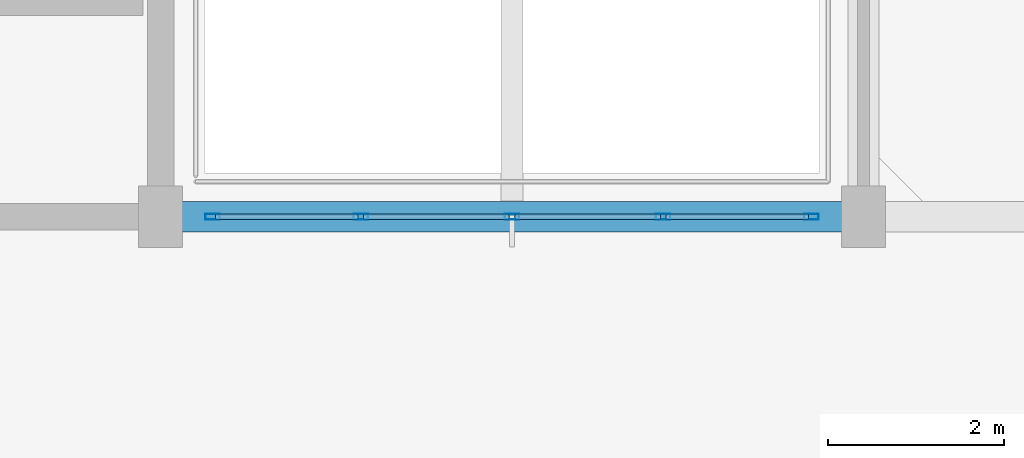
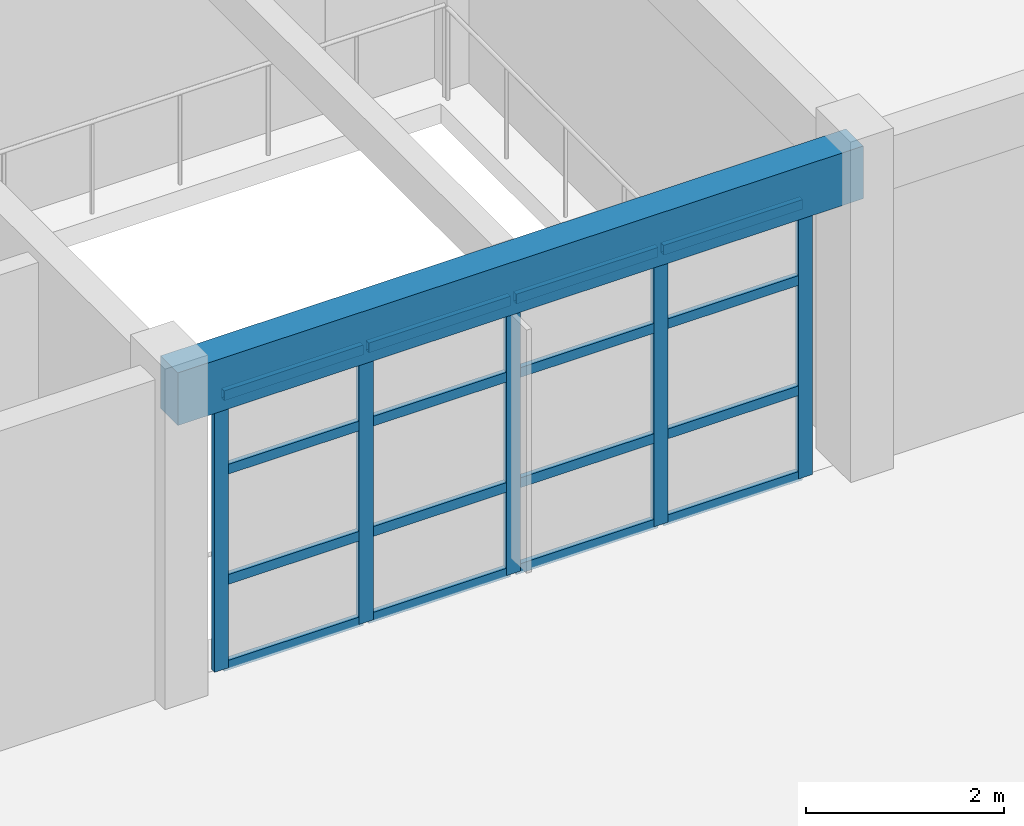
# One storey, part 5 of 20: 21 members, 1 beam, 1 element without a shape of its own.
"""IFC4 building model written with IfcOpenShell, lengths in metres."""

from ifc_helpers import new_model, si_unit, direction, frame, origin, origin_2d, place, context, subcontext, project, spatial, rectangle, hollow_rectangle, extrude, material, layer, layer_set, material_profile, profile_set, type_object, element, aggregate, save


model = new_model("IFC4")

# Units and contexts
model_context = context("Model", 3, precision=1e-05, world=origin(), true_north=direction((0.0, 1.0)))
body_context = subcontext(model_context, "Body", "Model", "MODEL_VIEW")
ifc_project = project(units=[si_unit("LENGTHUNIT", "METRE"), si_unit("AREAUNIT", "SQUARE_METRE"), si_unit("VOLUMEUNIT", "CUBIC_METRE"), si_unit("PLANEANGLEUNIT", "RADIAN"), si_unit("MASSUNIT", "GRAM", prefix="KILO")], contexts=[model_context])

# Site, building, storey
site_placement = place(None, origin())
site = spatial("IfcSite", under=ifc_project, at=site_placement, CompositionType="ELEMENT")
building_placement = place(site_placement, origin())
building = spatial("IfcBuilding", under=site, at=building_placement, Name="Canggui Botanical Conservatory", CompositionType="ELEMENT")
storey_placement = place(building_placement, frame((0.0, 0.0, 57.0)))
storey = spatial("IfcBuildingStorey", under=building, at=storey_placement, Name="L14", CompositionType="ELEMENT", Elevation=57.0)

# Beam
ifc_material_1 = material(Name="Concrete C35", Category="concrete")
ifc_material_profile_1 = material_profile(ifc_material_1, rectangle(XDim=0.35009765625, YDim=0.64990234375, at=origin_2d()), Name="RB 350x650")
ifc_profile_set_1 = profile_set([ifc_material_profile_1], Name="Concrete C35")
beam_type = type_object("IfcBeamType", Name="BM-KL18", PredefinedType="BEAM", material=ifc_profile_set_1)
beam_placement = place(storey_placement, frame((162.0, 42.0, 3.635009765625), z_axis=(1.0, 0.0, 0.0), x_axis=(0.0, 1.0, 0.0)))
element("IfcBeam", 1, at=beam_placement, inside=storey, type_object=beam_type, Name="Frame Girder L14 Y42-3", PredefinedType="BEAM", context=body_context, shape_type="SweptSolid", body=[
    extrude(rectangle(XDim=0.35009765625, YDim=0.64990234375, at=origin_2d()), origin(), (0.0, 0.0, 1.0), 8.0),
])

# Curtain wall, members
ifc_material_2 = material(Name="Thermally Broken Aluminium", Category="aluminium")
ifc_layer = layer(ifc_material_2, 0.1650390625, Name="Thermally Broken Aluminium", Category="aluminium")
ifc_layer_set = layer_set([ifc_layer], Name="Thermally Broken Aluminium")
curtain_wall_type = type_object("IfcCurtainWallType", Name="CW-UNIT-B", PredefinedType="USERDEFINED", material=ifc_layer_set)
curtain_wall_placement = place(storey_placement, origin())
curtain_wall = element("IfcCurtainWall", 2, at=curtain_wall_placement, inside=storey, type_object=curtain_wall_type, Name="Facade Curtain Wall CW-TWR-L14-02", ObjectType="UNITISED CURTAIN WALL", PredefinedType="USERDEFINED")
ifc_material_profile_2 = material_profile(ifc_material_2, hollow_rectangle(XDim=0.06494140625, YDim=0.1650390625, WallThickness=0.00390625, at=origin_2d()), Name="CWM 65x165x4")
ifc_profile_set_2 = profile_set([ifc_material_profile_2], Name="Thermally Broken Aluminium")
member_type_1 = type_object("IfcMemberType", Name="CWM-02", PredefinedType="MULLION", material=ifc_profile_set_2)
member_1_placement = place(storey_placement, frame((169.407470703125, 42.0, 0.0), z_axis=(0.0, 0.0, 1.0), x_axis=(0.0, -1.0, 0.0)))
member_1 = element("IfcMember", 3, at=member_1_placement, type_object=member_type_1, Name="CW-02 mullion 1", PredefinedType="MULLION", context=body_context, shape_type="SweptSolid", body=[
    extrude(hollow_rectangle(XDim=0.06494140625, YDim=0.1650390625, WallThickness=0.00390625, at=origin_2d()), origin(), (0.0, 0.0, 1.0), 3.39990234375),
])
member_2_placement = place(storey_placement, frame((167.719970703125, 42.0, 0.0), z_axis=(0.0, 0.0, 1.0), x_axis=(0.0, -1.0, 0.0)))
member_2 = element("IfcMember", 4, at=member_2_placement, type_object=member_type_1, Name="CW-02 mullion 2", PredefinedType="MULLION", context=body_context, shape_type="SweptSolid", body=[
    extrude(hollow_rectangle(XDim=0.06494140625, YDim=0.1650390625, WallThickness=0.00390625, at=origin_2d()), origin(), (0.0, 0.0, 1.0), 3.39990234375),
])
member_3_placement = place(storey_placement, frame((166.0, 42.0, 0.0), z_axis=(0.0, 0.0, 1.0), x_axis=(0.0, -1.0, 0.0)))
member_3 = element("IfcMember", 5, at=member_3_placement, type_object=member_type_1, Name="CW-02 mullion 3", PredefinedType="MULLION", context=body_context, shape_type="SweptSolid", body=[
    extrude(hollow_rectangle(XDim=0.06494140625, YDim=0.1650390625, WallThickness=0.00390625, at=origin_2d()), origin(), (0.0, 0.0, 1.0), 3.39990234375),
])
member_4_placement = place(storey_placement, frame((164.280029296875, 42.0, 0.0), z_axis=(0.0, 0.0, 1.0), x_axis=(0.0, -1.0, 0.0)))
member_4 = element("IfcMember", 6, at=member_4_placement, type_object=member_type_1, Name="CW-02 mullion 4", PredefinedType="MULLION", context=body_context, shape_type="SweptSolid", body=[
    extrude(hollow_rectangle(XDim=0.06494140625, YDim=0.1650390625, WallThickness=0.00390625, at=origin_2d()), origin(), (0.0, 0.0, 1.0), 3.39990234375),
])
member_5_placement = place(storey_placement, frame((162.592529296875, 42.0, 0.0), z_axis=(0.0, 0.0, 1.0), x_axis=(0.0, -1.0, 0.0)))
member_5 = element("IfcMember", 7, at=member_5_placement, type_object=member_type_1, Name="CW-02 mullion 5", PredefinedType="MULLION", context=body_context, shape_type="SweptSolid", body=[
    extrude(hollow_rectangle(XDim=0.06494140625, YDim=0.1650390625, WallThickness=0.00390625, at=origin_2d()), origin(), (0.0, 0.0, 1.0), 3.39990234375),
])
ifc_material_profile_3 = material_profile(ifc_material_2, hollow_rectangle(XDim=0.06005859375, YDim=0.1201171875, WallThickness=0.00341796875, at=origin_2d()), Name="CWT 60x120x3.5")
ifc_profile_set_3 = profile_set([ifc_material_profile_3], Name="Thermally Broken Aluminium")
member_type_2 = type_object("IfcMemberType", Name="CWT-02", PredefinedType="USERDEFINED", material=ifc_profile_set_3)
member_6_placement = place(storey_placement, frame((169.375, 42.0, 0.030029296875), z_axis=(-1.0, 0.0, 0.0), x_axis=(0.0, -1.0, 0.0)))
member_6 = element("IfcMember", 8, at=member_6_placement, type_object=member_type_2, Name="CW-02 transom 1.1", ObjectType="TRANSOM", PredefinedType="USERDEFINED", context=body_context, shape_type="SweptSolid", body=[
    extrude(hollow_rectangle(XDim=0.06005859375, YDim=0.1201171875, WallThickness=0.00341796875, at=origin_2d()), origin(), (0.0, 0.0, 1.0), 1.62255859375),
])
member_7_placement = place(storey_placement, frame((169.375, 42.0, 1.087890625), z_axis=(-1.0, 0.0, 0.0), x_axis=(0.0, -1.0, 0.0)))
member_7 = element("IfcMember", 9, at=member_7_placement, type_object=member_type_2, Name="CW-02 transom 1.2", ObjectType="TRANSOM", PredefinedType="USERDEFINED", context=body_context, shape_type="SweptSolid", body=[
    extrude(hollow_rectangle(XDim=0.06005859375, YDim=0.1201171875, WallThickness=0.00341796875, at=origin_2d()), origin(), (0.0, 0.0, 1.0), 1.62255859375),
])
member_8_placement = place(storey_placement, frame((169.375, 42.0, 2.447998046875), z_axis=(-1.0, 0.0, 0.0), x_axis=(0.0, -1.0, 0.0)))
member_8 = element("IfcMember", 10, at=member_8_placement, type_object=member_type_2, Name="CW-02 transom 1.3", ObjectType="TRANSOM", PredefinedType="USERDEFINED", context=body_context, shape_type="SweptSolid", body=[
    extrude(hollow_rectangle(XDim=0.06005859375, YDim=0.1201171875, WallThickness=0.00341796875, at=origin_2d()), origin(), (0.0, 0.0, 1.0), 1.62255859375),
])
member_9_placement = place(storey_placement, frame((169.375, 42.0, 3.3701171875), z_axis=(-1.0, 0.0, 0.0), x_axis=(0.0, -1.0, 0.0)))
member_9 = element("IfcMember", 11, at=member_9_placement, type_object=member_type_2, Name="CW-02 transom 1.4", ObjectType="TRANSOM", PredefinedType="USERDEFINED", context=body_context, shape_type="SweptSolid", body=[
    extrude(hollow_rectangle(XDim=0.06005859375, YDim=0.1201171875, WallThickness=0.00341796875, at=origin_2d()), origin(), (0.0, 0.0, 1.0), 1.62255859375),
])
member_10_placement = place(storey_placement, frame((167.6875, 42.0, 0.030029296875), z_axis=(-1.0, 0.0, 0.0), x_axis=(0.0, -1.0, 0.0)))
member_10 = element("IfcMember", 12, at=member_10_placement, type_object=member_type_2, Name="CW-02 transom 2.1", ObjectType="TRANSOM", PredefinedType="USERDEFINED", context=body_context, shape_type="SweptSolid", body=[
    extrude(hollow_rectangle(XDim=0.06005859375, YDim=0.1201171875, WallThickness=0.00341796875, at=origin_2d()), origin(), (0.0, 0.0, 1.0), 1.655029296875),
])
member_11_placement = place(storey_placement, frame((167.6875, 42.0, 1.087890625), z_axis=(-1.0, 0.0, 0.0), x_axis=(0.0, -1.0, 0.0)))
member_11 = element("IfcMember", 13, at=member_11_placement, type_object=member_type_2, Name="CW-02 transom 2.2", ObjectType="TRANSOM", PredefinedType="USERDEFINED", context=body_context, shape_type="SweptSolid", body=[
    extrude(hollow_rectangle(XDim=0.06005859375, YDim=0.1201171875, WallThickness=0.00341796875, at=origin_2d()), origin(), (0.0, 0.0, 1.0), 1.655029296875),
])
member_12_placement = place(storey_placement, frame((167.6875, 42.0, 2.447998046875), z_axis=(-1.0, 0.0, 0.0), x_axis=(0.0, -1.0, 0.0)))
member_12 = element("IfcMember", 14, at=member_12_placement, type_object=member_type_2, Name="CW-02 transom 2.3", ObjectType="TRANSOM", PredefinedType="USERDEFINED", context=body_context, shape_type="SweptSolid", body=[
    extrude(hollow_rectangle(XDim=0.06005859375, YDim=0.1201171875, WallThickness=0.00341796875, at=origin_2d()), origin(), (0.0, 0.0, 1.0), 1.655029296875),
])
member_13_placement = place(storey_placement, frame((167.6875, 42.0, 3.3701171875), z_axis=(-1.0, 0.0, 0.0), x_axis=(0.0, -1.0, 0.0)))
member_13 = element("IfcMember", 15, at=member_13_placement, type_object=member_type_2, Name="CW-02 transom 2.4", ObjectType="TRANSOM", PredefinedType="USERDEFINED", context=body_context, shape_type="SweptSolid", body=[
    extrude(hollow_rectangle(XDim=0.06005859375, YDim=0.1201171875, WallThickness=0.00341796875, at=origin_2d()), origin(), (0.0, 0.0, 1.0), 1.655029296875),
])
member_14_placement = place(storey_placement, frame((165.967529296875, 42.0, 0.030029296875), z_axis=(-1.0, 0.0, 0.0), x_axis=(0.0, -1.0, 0.0)))
member_14 = element("IfcMember", 16, at=member_14_placement, type_object=member_type_2, Name="CW-02 transom 3.1", ObjectType="TRANSOM", PredefinedType="USERDEFINED", context=body_context, shape_type="SweptSolid", body=[
    extrude(hollow_rectangle(XDim=0.06005859375, YDim=0.1201171875, WallThickness=0.00341796875, at=origin_2d()), origin(), (0.0, 0.0, 1.0), 1.655029296875),
])
member_15_placement = place(storey_placement, frame((165.967529296875, 42.0, 1.087890625), z_axis=(-1.0, 0.0, 0.0), x_axis=(0.0, -1.0, 0.0)))
member_15 = element("IfcMember", 17, at=member_15_placement, type_object=member_type_2, Name="CW-02 transom 3.2", ObjectType="TRANSOM", PredefinedType="USERDEFINED", context=body_context, shape_type="SweptSolid", body=[
    extrude(hollow_rectangle(XDim=0.06005859375, YDim=0.1201171875, WallThickness=0.00341796875, at=origin_2d()), origin(), (0.0, 0.0, 1.0), 1.655029296875),
])
member_16_placement = place(storey_placement, frame((165.967529296875, 42.0, 2.447998046875), z_axis=(-1.0, 0.0, 0.0), x_axis=(0.0, -1.0, 0.0)))
member_16 = element("IfcMember", 18, at=member_16_placement, type_object=member_type_2, Name="CW-02 transom 3.3", ObjectType="TRANSOM", PredefinedType="USERDEFINED", context=body_context, shape_type="SweptSolid", body=[
    extrude(hollow_rectangle(XDim=0.06005859375, YDim=0.1201171875, WallThickness=0.00341796875, at=origin_2d()), origin(), (0.0, 0.0, 1.0), 1.655029296875),
])
member_17_placement = place(storey_placement, frame((165.967529296875, 42.0, 3.3701171875), z_axis=(-1.0, 0.0, 0.0), x_axis=(0.0, -1.0, 0.0)))
member_17 = element("IfcMember", 19, at=member_17_placement, type_object=member_type_2, Name="CW-02 transom 3.4", ObjectType="TRANSOM", PredefinedType="USERDEFINED", context=body_context, shape_type="SweptSolid", body=[
    extrude(hollow_rectangle(XDim=0.06005859375, YDim=0.1201171875, WallThickness=0.00341796875, at=origin_2d()), origin(), (0.0, 0.0, 1.0), 1.655029296875),
])
member_18_placement = place(storey_placement, frame((164.24755859375, 42.0, 0.030029296875), z_axis=(-1.0, 0.0, 0.0), x_axis=(0.0, -1.0, 0.0)))
member_18 = element("IfcMember", 20, at=member_18_placement, type_object=member_type_2, Name="CW-02 transom 4.1", ObjectType="TRANSOM", PredefinedType="USERDEFINED", context=body_context, shape_type="SweptSolid", body=[
    extrude(hollow_rectangle(XDim=0.06005859375, YDim=0.1201171875, WallThickness=0.00341796875, at=origin_2d()), origin(), (0.0, 0.0, 1.0), 1.62255859375),
])
member_19_placement = place(storey_placement, frame((164.24755859375, 42.0, 1.087890625), z_axis=(-1.0, 0.0, 0.0), x_axis=(0.0, -1.0, 0.0)))
member_19 = element("IfcMember", 21, at=member_19_placement, type_object=member_type_2, Name="CW-02 transom 4.2", ObjectType="TRANSOM", PredefinedType="USERDEFINED", context=body_context, shape_type="SweptSolid", body=[
    extrude(hollow_rectangle(XDim=0.06005859375, YDim=0.1201171875, WallThickness=0.00341796875, at=origin_2d()), origin(), (0.0, 0.0, 1.0), 1.62255859375),
])
member_20_placement = place(storey_placement, frame((164.24755859375, 42.0, 2.447998046875), z_axis=(-1.0, 0.0, 0.0), x_axis=(0.0, -1.0, 0.0)))
member_20 = element("IfcMember", 22, at=member_20_placement, type_object=member_type_2, Name="CW-02 transom 4.3", ObjectType="TRANSOM", PredefinedType="USERDEFINED", context=body_context, shape_type="SweptSolid", body=[
    extrude(hollow_rectangle(XDim=0.06005859375, YDim=0.1201171875, WallThickness=0.00341796875, at=origin_2d()), origin(), (0.0, 0.0, 1.0), 1.62255859375),
])
member_21_placement = place(storey_placement, frame((164.24755859375, 42.0, 3.3701171875), z_axis=(-1.0, 0.0, 0.0), x_axis=(0.0, -1.0, 0.0)))
member_21 = element("IfcMember", 23, at=member_21_placement, type_object=member_type_2, Name="CW-02 transom 4.4", ObjectType="TRANSOM", PredefinedType="USERDEFINED", context=body_context, shape_type="SweptSolid", body=[
    extrude(hollow_rectangle(XDim=0.06005859375, YDim=0.1201171875, WallThickness=0.00341796875, at=origin_2d()), origin(), (0.0, 0.0, 1.0), 1.62255859375),
])
aggregate(curtain_wall, [member_1, member_2, member_3, member_4, member_5, member_6, member_7, member_8, member_9, member_10, member_11, member_12, member_13, member_14, member_15, member_16, member_17, member_18, member_19, member_20, member_21])

save(model, "model.ifc")
